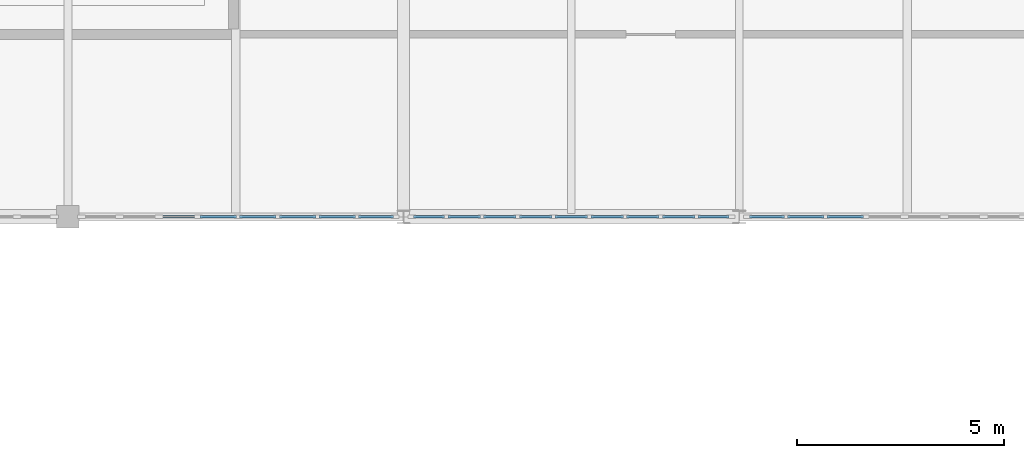
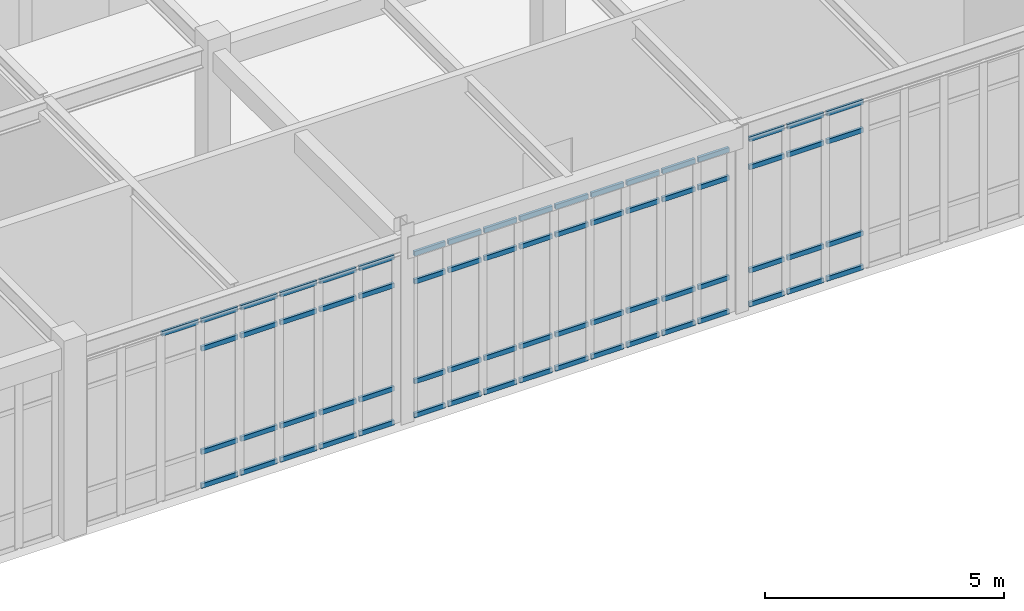
# One storey, part 38 of 70: 69 members, 3 elements without a shape of their own.
"""IFC4 building model written with IfcOpenShell, lengths in metres."""

import ifcopenshell
import ifcopenshell.guid

model = None  # the IFC model being written
_history = None  # IfcOwnerHistory: only IFC2X3 demands one
_inside = {}  # id of a spatial element -> (the spatial element, [elements in it])
_under = {}  # id of a project, library or spatial element -> (it, [spatial elements below it])
_declared = {}  # id of a project -> (the project, [libraries it declares])
_typed = {}  # id of a type object -> (the type object, [elements of that type])
_made_of = {}  # id of a material, layer set ... -> (it, [elements and type objects made of it])


def new_model(schema):
    """Start an empty IFC model of exactly this schema.

    Asked for "IFC4X3", IfcOpenShell would pick the latest addendum, in which some entities
    have other attributes; the version numbers below select the first issue.
    IFC2X3 requires an IfcOwnerHistory on every rooted entity: one is made here for all.
    """
    global model, _history
    if schema == "IFC4X3":
        model = ifcopenshell.file(schema_version=(4, 3, 0, 0))
    else:
        model = ifcopenshell.file(schema=schema)
    _inside.clear()
    _under.clear()
    _declared.clear()
    _typed.clear()
    _made_of.clear()
    _history = None
    if model.schema == "IFC2X3":
        org = make("IfcOrganization", Name="unknown")
        user = make(
            "IfcPersonAndOrganization",
            ThePerson=make("IfcPerson", FamilyName="unknown"),
            TheOrganization=org,
        )
        app = make(
            "IfcApplication",
            ApplicationDeveloper=org,
            Version="unknown",
            ApplicationFullName="unknown",
            ApplicationIdentifier="unknown",
        )
        _history = make(
            "IfcOwnerHistory",
            OwningUser=user,
            OwningApplication=app,
            ChangeAction="ADDED",
            CreationDate=0,
        )
    return model


def make(cls, **values):
    """One entity of the class cls with the attributes given. An attribute that is None is left unset."""
    return model.create_entity(
        cls, **{name: value for name, value in values.items() if value is not None}
    )


def rooted(cls, **values):
    """An entity with a GlobalId (a new one), such as an element, a storey or a relation."""
    return make(cls, GlobalId=ifcopenshell.guid.new(), OwnerHistory=_history, **values)


def si_unit(unit_type, name, prefix=None):
    """IfcSIUnit, for example si_unit("LENGTHUNIT", "METRE", prefix="MILLI")."""
    return make("IfcSIUnit", UnitType=unit_type, Prefix=prefix, Name=name)


def assignment(units):
    """IfcUnitAssignment: the units of a project."""
    return None if units is None else make("IfcUnitAssignment", Units=units)


def point(xyz):
    """IfcCartesianPoint."""
    return None if xyz is None else make("IfcCartesianPoint", Coordinates=xyz)


def direction(xyz):
    """IfcDirection."""
    return None if xyz is None else make("IfcDirection", DirectionRatios=xyz)


def frame(location, z_axis=None, x_axis=None):
    """IfcAxis2Placement3D, a coordinate frame: its origin and axes. An axis left out is left unset."""
    return make(
        "IfcAxis2Placement3D",
        Location=point(location),
        Axis=direction(z_axis),
        RefDirection=direction(x_axis),
    )


def frame_2d(location, x_axis=None):
    """IfcAxis2Placement2D, a coordinate frame in the plane: its origin and x axis."""
    return make(
        "IfcAxis2Placement2D", Location=point(location), RefDirection=direction(x_axis)
    )


def origin():
    """The frame at (0, 0, 0) with its axes left unset."""
    return frame((0.0, 0.0, 0.0))


def origin_2d():
    """The frame at (0, 0) in the plane with its x axis left unset."""
    return frame_2d((0.0, 0.0))


def place(relative_to, where):
    """IfcLocalPlacement: puts the frame where relative to a parent placement (None: the world)."""
    return make(
        "IfcLocalPlacement", PlacementRelTo=relative_to, RelativePlacement=where
    )


def context(
    kind, dimensions, precision=None, world=None, true_north=None, identifier=None
):
    """IfcGeometricRepresentationContext, for example the 3D "Model" context."""
    return make(
        "IfcGeometricRepresentationContext",
        ContextIdentifier=identifier,
        ContextType=kind,
        CoordinateSpaceDimension=dimensions,
        Precision=precision,
        WorldCoordinateSystem=world,
        TrueNorth=true_north,
    )


def subcontext(parent, identifier, kind, view, scale=None):
    """IfcGeometricRepresentationSubContext, for example "Body" below "Model"."""
    return make(
        "IfcGeometricRepresentationSubContext",
        ContextIdentifier=identifier,
        ContextType=kind,
        ParentContext=parent,
        TargetScale=scale,
        TargetView=view,
    )


def project(units=None, contexts=None):
    """IfcProject with its units and contexts."""
    return rooted(
        "IfcProject",
        Name="project",
        RepresentationContexts=contexts,
        UnitsInContext=assignment(units),
    )


def spatial(cls, under=None, at=None, **own):
    """A site, building, storey or space (cls), placed at a placement, below another one or the project."""
    s = rooted(cls, ObjectPlacement=at, **own)
    if under is not None:
        _under.setdefault(under.id(), (under, []))[1].append(s)
    return s


def profile(cls, at=None, kind="AREA", **sizes):
    """A parametric profile (cls). Its sizes go by their IFC names, for example OverallWidth=200.0."""
    return make(cls, ProfileType=kind, Position=at, **sizes)


def rectangle(**sizes):
    """IfcRectangleProfileDef."""
    return profile("IfcRectangleProfileDef", **sizes)


def extrude(swept, where, along, depth):
    """IfcExtrudedAreaSolid: the profile swept, set in the frame where, extruded along a direction by depth."""
    return make(
        "IfcExtrudedAreaSolid",
        SweptArea=swept,
        Position=where,
        ExtrudedDirection=direction(along),
        Depth=depth,
    )


def shape(context_of_items, identifier, shape_type, items):
    """IfcShapeRepresentation: the items that make up one representation, for example the "Body"."""
    return make(
        "IfcShapeRepresentation",
        ContextOfItems=context_of_items,
        RepresentationIdentifier=identifier,
        RepresentationType=shape_type,
        Items=items,
    )


def material(Name=None, Category=None):
    """IfcMaterial."""
    return make("IfcMaterial", Name=Name, Category=Category)


def material_profile(
    of_material, cross_section, Name=None, Category=None, Priority=None
):
    """IfcMaterialProfile: a cross section and its material."""
    return make(
        "IfcMaterialProfile",
        Name=Name,
        Material=of_material,
        Profile=cross_section,
        Priority=Priority,
        Category=Category,
    )


def profile_set(profiles, Name=None, composite=None):
    """IfcMaterialProfileSet."""
    return make(
        "IfcMaterialProfileSet",
        Name=Name,
        MaterialProfiles=profiles,
        CompositeProfile=composite,
    )


def made_of(thing, what):
    """Note that an element or type object is made of a material, layer set ...; save() writes the relation."""
    if what is not None:
        _made_of.setdefault(what.id(), (what, []))[1].append(thing)
    return thing


def type_object(cls, material=None, **own):
    """A type object (cls), such as IfcWallType, which elements share."""
    return made_of(rooted(cls, **own), material)


def element(
    cls,
    number,
    at=None,
    inside=None,
    cuts=None,
    type_object=None,
    material=None,
    context=None,
    identifier="Body",
    shape_type=None,
    held_by="IfcProductDefinitionShape",
    body=None,
    shapes=None,
    **own,
):
    """One element of the class cls, such as IfcWall. Its Tag is "e" and its number.

    at: its placement. inside: the storey or other place that contains it. cuts: it is an
    opening in that element (IfcRelVoidsElement). A single representation is given by context,
    identifier, shape_type and body (its items); several are given by shapes. held_by: the class
    of the entity that holds the representations. save() writes the other relations.
    """
    e = rooted(cls, Tag="e%d" % number, ObjectPlacement=at, **own)
    if body is not None:
        shapes = [shape(context, identifier, shape_type, body)]
    if shapes is not None:
        e.Representation = make(held_by, Representations=shapes)
    if inside is not None:
        _inside.setdefault(inside.id(), (inside, []))[1].append(e)
    if cuts is not None:
        rooted(
            "IfcRelVoidsElement", RelatingBuildingElement=cuts, RelatedOpeningElement=e
        )
    if type_object is not None:
        _typed.setdefault(type_object.id(), (type_object, []))[1].append(e)
    return made_of(e, material)


def aggregate(whole, parts):
    """IfcRelAggregates: a whole, such as a stair, and the parts it consists of."""
    return rooted("IfcRelAggregates", RelatingObject=whole, RelatedObjects=parts)


def save(model, path):
    """Write the relations noted so far, then the file.

    IfcRelAggregates (storeys below a building ...), IfcRelContainedInSpatialStructure (elements
    in a storey), IfcRelDefinesByType, IfcRelAssociatesMaterial and IfcRelDeclares: one each for
    every whole, place, type object, material and project.
    """
    for whole, parts in _under.values():
        aggregate(whole, parts)
    for where, things in _inside.values():
        rooted(
            "IfcRelContainedInSpatialStructure",
            RelatedElements=things,
            RelatingStructure=where,
        )
    for kind, things in _typed.values():
        rooted("IfcRelDefinesByType", RelatedObjects=things, RelatingType=kind)
    for what, things in _made_of.values():
        rooted("IfcRelAssociatesMaterial", RelatedObjects=things, RelatingMaterial=what)
    for by, libraries in _declared.values():
        rooted("IfcRelDeclares", RelatingContext=by, RelatedDefinitions=libraries)
    model.write(path)


model = new_model("IFC4")

# Units and contexts
model_context = context("Model", 3, precision=1e-05, world=origin(), true_north=direction((0.0, 1.0)))
body_context = subcontext(model_context, "Body", "Model", "MODEL_VIEW")
ifc_project = project(units=[si_unit("LENGTHUNIT", "METRE"), si_unit("AREAUNIT", "SQUARE_METRE"), si_unit("VOLUMEUNIT", "CUBIC_METRE"), si_unit("PLANEANGLEUNIT", "RADIAN"), si_unit("MASSUNIT", "GRAM", prefix="KILO")], contexts=[model_context])

# Site, building, storey
site_placement = place(None, origin())
site = spatial("IfcSite", under=ifc_project, at=site_placement, CompositionType="ELEMENT")
building_placement = place(site_placement, origin())
building = spatial("IfcBuilding", under=site, at=building_placement, Name="Tarnveldt Square Police Headquarters", CompositionType="ELEMENT")
storey_placement = place(building_placement, frame((0.0, 0.0, 19.800048828125)))
storey = spatial("IfcBuildingStorey", under=building, at=storey_placement, Name="L04", CompositionType="ELEMENT", Elevation=19.800048828125)

# Curtain wall, members
ifc_material_1 = material(Name="Triple-glazed low-e laminated vision glass", Category="glass")
curtain_wall_type_1 = type_object("IfcCurtainWallType", Name="CW-LB-764x429", PredefinedType="USERDEFINED", material=ifc_material_1)
curtain_wall_1_placement = place(storey_placement, origin())
curtain_wall_1 = element("IfcCurtainWall", 1, at=curtain_wall_1_placement, inside=storey, type_object=curtain_wall_type_1, Name="L04 Curtain Wall CW-L04-130", ObjectType="GLAZED CURTAIN WALL", PredefinedType="USERDEFINED")
ifc_material_2 = material(Name="Thermally broken anodised aluminium 6063-T6", Category="aluminium")
ifc_material_profile = material_profile(ifc_material_2, rectangle(XDim=0.06494140625, YDim=0.1201171875, at=origin_2d()), Name="CW-T65x120")
ifc_profile_set = profile_set([ifc_material_profile], Name="Thermally broken anodised aluminium 6063-T6")
member_type = type_object("IfcMemberType", Name="CWT-65x120", PredefinedType="USERDEFINED", material=ifc_profile_set)
member_1_placement = place(storey_placement, frame((83.23779296875, 96.0, 4.25634765625), z_axis=(1.0, 0.0, 0.0), x_axis=(0.0, 1.0, 0.0)))
member_1 = element("IfcMember", 2, at=member_1_placement, type_object=member_type, Name="CW-LB78 transom 3.4", ObjectType="TRANSOM", PredefinedType="USERDEFINED", context=body_context, shape_type="SweptSolid", body=[
    extrude(rectangle(XDim=0.06494140625, YDim=0.1201171875, at=origin_2d()), origin(), (0.0, 0.0, 1.0), 0.880126953125),
])
member_2_placement = place(storey_placement, frame((84.19287109375, 96.0, 0.032470703125), z_axis=(1.0, 0.0, 0.0), x_axis=(0.0, 1.0, 0.0)))
member_2 = element("IfcMember", 3, at=member_2_placement, type_object=member_type, Name="CW-LB78 transom 4.1", ObjectType="TRANSOM", PredefinedType="USERDEFINED", context=body_context, shape_type="SweptSolid", body=[
    extrude(rectangle(XDim=0.06494140625, YDim=0.1201171875, at=origin_2d()), origin(), (0.0, 0.0, 1.0), 0.880126953125),
])
member_3_placement = place(storey_placement, frame((84.19287109375, 96.0, 0.89990234375), z_axis=(1.0, 0.0, 0.0), x_axis=(0.0, 1.0, 0.0)))
member_3 = element("IfcMember", 4, at=member_3_placement, type_object=member_type, Name="CW-LB78 transom 4.2", ObjectType="TRANSOM", PredefinedType="USERDEFINED", context=body_context, shape_type="SweptSolid", body=[
    extrude(rectangle(XDim=0.06494140625, YDim=0.1201171875, at=origin_2d()), origin(), (0.0, 0.0, 1.0), 0.880126953125),
])
member_4_placement = place(storey_placement, frame((84.19287109375, 96.0, 3.5390625), z_axis=(1.0, 0.0, 0.0), x_axis=(0.0, 1.0, 0.0)))
member_4 = element("IfcMember", 5, at=member_4_placement, type_object=member_type, Name="CW-LB78 transom 4.3", ObjectType="TRANSOM", PredefinedType="USERDEFINED", context=body_context, shape_type="SweptSolid", body=[
    extrude(rectangle(XDim=0.06494140625, YDim=0.1201171875, at=origin_2d()), origin(), (0.0, 0.0, 1.0), 0.880126953125),
])
member_5_placement = place(storey_placement, frame((84.19287109375, 96.0, 4.25634765625), z_axis=(1.0, 0.0, 0.0), x_axis=(0.0, 1.0, 0.0)))
member_5 = element("IfcMember", 6, at=member_5_placement, type_object=member_type, Name="CW-LB78 transom 4.4", ObjectType="TRANSOM", PredefinedType="USERDEFINED", context=body_context, shape_type="SweptSolid", body=[
    extrude(rectangle(XDim=0.06494140625, YDim=0.1201171875, at=origin_2d()), origin(), (0.0, 0.0, 1.0), 0.880126953125),
])
member_6_placement = place(storey_placement, frame((85.14794921875, 96.0, 0.032470703125), z_axis=(1.0, 0.0, 0.0), x_axis=(0.0, 1.0, 0.0)))
member_6 = element("IfcMember", 7, at=member_6_placement, type_object=member_type, Name="CW-LB78 transom 5.1", ObjectType="TRANSOM", PredefinedType="USERDEFINED", context=body_context, shape_type="SweptSolid", body=[
    extrude(rectangle(XDim=0.06494140625, YDim=0.1201171875, at=origin_2d()), origin(), (0.0, 0.0, 1.0), 0.880126953125),
])
member_7_placement = place(storey_placement, frame((85.14794921875, 96.0, 0.89990234375), z_axis=(1.0, 0.0, 0.0), x_axis=(0.0, 1.0, 0.0)))
member_7 = element("IfcMember", 8, at=member_7_placement, type_object=member_type, Name="CW-LB78 transom 5.2", ObjectType="TRANSOM", PredefinedType="USERDEFINED", context=body_context, shape_type="SweptSolid", body=[
    extrude(rectangle(XDim=0.06494140625, YDim=0.1201171875, at=origin_2d()), origin(), (0.0, 0.0, 1.0), 0.880126953125),
])
member_8_placement = place(storey_placement, frame((85.14794921875, 96.0, 3.5390625), z_axis=(1.0, 0.0, 0.0), x_axis=(0.0, 1.0, 0.0)))
member_8 = element("IfcMember", 9, at=member_8_placement, type_object=member_type, Name="CW-LB78 transom 5.3", ObjectType="TRANSOM", PredefinedType="USERDEFINED", context=body_context, shape_type="SweptSolid", body=[
    extrude(rectangle(XDim=0.06494140625, YDim=0.1201171875, at=origin_2d()), origin(), (0.0, 0.0, 1.0), 0.880126953125),
])
member_9_placement = place(storey_placement, frame((85.14794921875, 96.0, 4.25634765625), z_axis=(1.0, 0.0, 0.0), x_axis=(0.0, 1.0, 0.0)))
member_9 = element("IfcMember", 10, at=member_9_placement, type_object=member_type, Name="CW-LB78 transom 5.4", ObjectType="TRANSOM", PredefinedType="USERDEFINED", context=body_context, shape_type="SweptSolid", body=[
    extrude(rectangle(XDim=0.06494140625, YDim=0.1201171875, at=origin_2d()), origin(), (0.0, 0.0, 1.0), 0.880126953125),
])
member_10_placement = place(storey_placement, frame((86.10302734375, 96.0, 0.032470703125), z_axis=(1.0, 0.0, 0.0), x_axis=(0.0, 1.0, 0.0)))
member_10 = element("IfcMember", 11, at=member_10_placement, type_object=member_type, Name="CW-LB78 transom 6.1", ObjectType="TRANSOM", PredefinedType="USERDEFINED", context=body_context, shape_type="SweptSolid", body=[
    extrude(rectangle(XDim=0.06494140625, YDim=0.1201171875, at=origin_2d()), origin(), (0.0, 0.0, 1.0), 0.880126953125),
])
member_11_placement = place(storey_placement, frame((86.10302734375, 96.0, 0.89990234375), z_axis=(1.0, 0.0, 0.0), x_axis=(0.0, 1.0, 0.0)))
member_11 = element("IfcMember", 12, at=member_11_placement, type_object=member_type, Name="CW-LB78 transom 6.2", ObjectType="TRANSOM", PredefinedType="USERDEFINED", context=body_context, shape_type="SweptSolid", body=[
    extrude(rectangle(XDim=0.06494140625, YDim=0.1201171875, at=origin_2d()), origin(), (0.0, 0.0, 1.0), 0.880126953125),
])
member_12_placement = place(storey_placement, frame((86.10302734375, 96.0, 3.5390625), z_axis=(1.0, 0.0, 0.0), x_axis=(0.0, 1.0, 0.0)))
member_12 = element("IfcMember", 13, at=member_12_placement, type_object=member_type, Name="CW-LB78 transom 6.3", ObjectType="TRANSOM", PredefinedType="USERDEFINED", context=body_context, shape_type="SweptSolid", body=[
    extrude(rectangle(XDim=0.06494140625, YDim=0.1201171875, at=origin_2d()), origin(), (0.0, 0.0, 1.0), 0.880126953125),
])
member_13_placement = place(storey_placement, frame((86.10302734375, 96.0, 4.25634765625), z_axis=(1.0, 0.0, 0.0), x_axis=(0.0, 1.0, 0.0)))
member_13 = element("IfcMember", 14, at=member_13_placement, type_object=member_type, Name="CW-LB78 transom 6.4", ObjectType="TRANSOM", PredefinedType="USERDEFINED", context=body_context, shape_type="SweptSolid", body=[
    extrude(rectangle(XDim=0.06494140625, YDim=0.1201171875, at=origin_2d()), origin(), (0.0, 0.0, 1.0), 0.880126953125),
])
member_14_placement = place(storey_placement, frame((87.058349609375, 96.0, 0.032470703125), z_axis=(1.0, 0.0, 0.0), x_axis=(0.0, 1.0, 0.0)))
member_14 = element("IfcMember", 15, at=member_14_placement, type_object=member_type, Name="CW-LB78 transom 7.1", ObjectType="TRANSOM", PredefinedType="USERDEFINED", context=body_context, shape_type="SweptSolid", body=[
    extrude(rectangle(XDim=0.06494140625, YDim=0.1201171875, at=origin_2d()), origin(), (0.0, 0.0, 1.0), 0.880126953125),
])
member_15_placement = place(storey_placement, frame((87.058349609375, 96.0, 0.89990234375), z_axis=(1.0, 0.0, 0.0), x_axis=(0.0, 1.0, 0.0)))
member_15 = element("IfcMember", 16, at=member_15_placement, type_object=member_type, Name="CW-LB78 transom 7.2", ObjectType="TRANSOM", PredefinedType="USERDEFINED", context=body_context, shape_type="SweptSolid", body=[
    extrude(rectangle(XDim=0.06494140625, YDim=0.1201171875, at=origin_2d()), origin(), (0.0, 0.0, 1.0), 0.880126953125),
])
member_16_placement = place(storey_placement, frame((87.058349609375, 96.0, 3.5390625), z_axis=(1.0, 0.0, 0.0), x_axis=(0.0, 1.0, 0.0)))
member_16 = element("IfcMember", 17, at=member_16_placement, type_object=member_type, Name="CW-LB78 transom 7.3", ObjectType="TRANSOM", PredefinedType="USERDEFINED", context=body_context, shape_type="SweptSolid", body=[
    extrude(rectangle(XDim=0.06494140625, YDim=0.1201171875, at=origin_2d()), origin(), (0.0, 0.0, 1.0), 0.880126953125),
])
member_17_placement = place(storey_placement, frame((87.058349609375, 96.0, 4.25634765625), z_axis=(1.0, 0.0, 0.0), x_axis=(0.0, 1.0, 0.0)))
member_17 = element("IfcMember", 18, at=member_17_placement, type_object=member_type, Name="CW-LB78 transom 7.4", ObjectType="TRANSOM", PredefinedType="USERDEFINED", context=body_context, shape_type="SweptSolid", body=[
    extrude(rectangle(XDim=0.06494140625, YDim=0.1201171875, at=origin_2d()), origin(), (0.0, 0.0, 1.0), 0.880126953125),
])
member_18_placement = place(storey_placement, frame((88.013427734375, 96.0, 0.032470703125), z_axis=(1.0, 0.0, 0.0), x_axis=(0.0, 1.0, 0.0)))
member_18 = element("IfcMember", 19, at=member_18_placement, type_object=member_type, Name="CW-LB78 transom 8.1", ObjectType="TRANSOM", PredefinedType="USERDEFINED", context=body_context, shape_type="SweptSolid", body=[
    extrude(rectangle(XDim=0.06494140625, YDim=0.1201171875, at=origin_2d()), origin(), (0.0, 0.0, 1.0), 0.842529296875),
])
member_19_placement = place(storey_placement, frame((88.013427734375, 96.0, 0.89990234375), z_axis=(1.0, 0.0, 0.0), x_axis=(0.0, 1.0, 0.0)))
member_19 = element("IfcMember", 20, at=member_19_placement, type_object=member_type, Name="CW-LB78 transom 8.2", ObjectType="TRANSOM", PredefinedType="USERDEFINED", context=body_context, shape_type="SweptSolid", body=[
    extrude(rectangle(XDim=0.06494140625, YDim=0.1201171875, at=origin_2d()), origin(), (0.0, 0.0, 1.0), 0.842529296875),
])
member_20_placement = place(storey_placement, frame((88.013427734375, 96.0, 3.5390625), z_axis=(1.0, 0.0, 0.0), x_axis=(0.0, 1.0, 0.0)))
member_20 = element("IfcMember", 21, at=member_20_placement, type_object=member_type, Name="CW-LB78 transom 8.3", ObjectType="TRANSOM", PredefinedType="USERDEFINED", context=body_context, shape_type="SweptSolid", body=[
    extrude(rectangle(XDim=0.06494140625, YDim=0.1201171875, at=origin_2d()), origin(), (0.0, 0.0, 1.0), 0.842529296875),
])
member_21_placement = place(storey_placement, frame((88.013427734375, 96.0, 4.25634765625), z_axis=(1.0, 0.0, 0.0), x_axis=(0.0, 1.0, 0.0)))
member_21 = element("IfcMember", 22, at=member_21_placement, type_object=member_type, Name="CW-LB78 transom 8.4", ObjectType="TRANSOM", PredefinedType="USERDEFINED", context=body_context, shape_type="SweptSolid", body=[
    extrude(rectangle(XDim=0.06494140625, YDim=0.1201171875, at=origin_2d()), origin(), (0.0, 0.0, 1.0), 0.842529296875),
])
aggregate(curtain_wall_1, [member_1, member_2, member_3, member_4, member_5, member_6, member_7, member_8, member_9, member_10, member_11, member_12, member_13, member_14, member_15, member_16, member_17, member_18, member_19, member_20, member_21])

curtain_wall_type_2 = type_object("IfcCurtainWallType", Name="CW-LB-776x420", PredefinedType="USERDEFINED", material=ifc_material_1)
curtain_wall_2_placement = place(storey_placement, origin())
curtain_wall_2 = element("IfcCurtainWall", 23, at=curtain_wall_2_placement, inside=storey, type_object=curtain_wall_type_2, Name="L04 Curtain Wall CW-L04-131", ObjectType="GLAZED CURTAIN WALL", PredefinedType="USERDEFINED")
member_22_placement = place(storey_placement, frame((89.343994140625, 96.0, 0.032470703125), z_axis=(1.0, 0.0, 0.0), x_axis=(0.0, 1.0, 0.0)))
member_22 = element("IfcMember", 24, at=member_22_placement, type_object=member_type, Name="CW-LB79 transom 1.1", ObjectType="TRANSOM", PredefinedType="USERDEFINED", context=body_context, shape_type="SweptSolid", body=[
    extrude(rectangle(XDim=0.06494140625, YDim=0.1201171875, at=origin_2d()), origin(), (0.0, 0.0, 1.0), 0.75),
])
member_23_placement = place(storey_placement, frame((89.343994140625, 96.0, 0.89990234375), z_axis=(1.0, 0.0, 0.0), x_axis=(0.0, 1.0, 0.0)))
member_23 = element("IfcMember", 25, at=member_23_placement, type_object=member_type, Name="CW-LB79 transom 1.2", ObjectType="TRANSOM", PredefinedType="USERDEFINED", context=body_context, shape_type="SweptSolid", body=[
    extrude(rectangle(XDim=0.06494140625, YDim=0.1201171875, at=origin_2d()), origin(), (0.0, 0.0, 1.0), 0.75),
])
member_24_placement = place(storey_placement, frame((89.343994140625, 96.0, 3.451904296875), z_axis=(1.0, 0.0, 0.0), x_axis=(0.0, 1.0, 0.0)))
member_24 = element("IfcMember", 26, at=member_24_placement, type_object=member_type, Name="CW-LB79 transom 1.3", ObjectType="TRANSOM", PredefinedType="USERDEFINED", context=body_context, shape_type="SweptSolid", body=[
    extrude(rectangle(XDim=0.06494140625, YDim=0.1201171875, at=origin_2d()), origin(), (0.0, 0.0, 1.0), 0.75),
])
member_25_placement = place(storey_placement, frame((89.343994140625, 96.0, 4.16943359375), z_axis=(1.0, 0.0, 0.0), x_axis=(0.0, 1.0, 0.0)))
member_25 = element("IfcMember", 27, at=member_25_placement, type_object=member_type, Name="CW-LB79 transom 1.4", ObjectType="TRANSOM", PredefinedType="USERDEFINED", context=body_context, shape_type="SweptSolid", body=[
    extrude(rectangle(XDim=0.06494140625, YDim=0.1201171875, at=origin_2d()), origin(), (0.0, 0.0, 1.0), 0.75),
])
member_26_placement = place(storey_placement, frame((90.1689453125, 96.0, 0.032470703125), z_axis=(1.0, 0.0, 0.0), x_axis=(0.0, 1.0, 0.0)))
member_26 = element("IfcMember", 28, at=member_26_placement, type_object=member_type, Name="CW-LB79 transom 2.1", ObjectType="TRANSOM", PredefinedType="USERDEFINED", context=body_context, shape_type="SweptSolid", body=[
    extrude(rectangle(XDim=0.06494140625, YDim=0.1201171875, at=origin_2d()), origin(), (0.0, 0.0, 1.0), 0.787353515625),
])
member_27_placement = place(storey_placement, frame((90.1689453125, 96.0, 0.89990234375), z_axis=(1.0, 0.0, 0.0), x_axis=(0.0, 1.0, 0.0)))
member_27 = element("IfcMember", 29, at=member_27_placement, type_object=member_type, Name="CW-LB79 transom 2.2", ObjectType="TRANSOM", PredefinedType="USERDEFINED", context=body_context, shape_type="SweptSolid", body=[
    extrude(rectangle(XDim=0.06494140625, YDim=0.1201171875, at=origin_2d()), origin(), (0.0, 0.0, 1.0), 0.787353515625),
])
member_28_placement = place(storey_placement, frame((90.1689453125, 96.0, 3.451904296875), z_axis=(1.0, 0.0, 0.0), x_axis=(0.0, 1.0, 0.0)))
member_28 = element("IfcMember", 30, at=member_28_placement, type_object=member_type, Name="CW-LB79 transom 2.3", ObjectType="TRANSOM", PredefinedType="USERDEFINED", context=body_context, shape_type="SweptSolid", body=[
    extrude(rectangle(XDim=0.06494140625, YDim=0.1201171875, at=origin_2d()), origin(), (0.0, 0.0, 1.0), 0.787353515625),
])
member_29_placement = place(storey_placement, frame((90.1689453125, 96.0, 4.16943359375), z_axis=(1.0, 0.0, 0.0), x_axis=(0.0, 1.0, 0.0)))
member_29 = element("IfcMember", 31, at=member_29_placement, type_object=member_type, Name="CW-LB79 transom 2.4", ObjectType="TRANSOM", PredefinedType="USERDEFINED", context=body_context, shape_type="SweptSolid", body=[
    extrude(rectangle(XDim=0.06494140625, YDim=0.1201171875, at=origin_2d()), origin(), (0.0, 0.0, 1.0), 0.787353515625),
])
member_30_placement = place(storey_placement, frame((91.031494140625, 96.0, 0.032470703125), z_axis=(1.0, 0.0, 0.0), x_axis=(0.0, 1.0, 0.0)))
member_30 = element("IfcMember", 32, at=member_30_placement, type_object=member_type, Name="CW-LB79 transom 3.1", ObjectType="TRANSOM", PredefinedType="USERDEFINED", context=body_context, shape_type="SweptSolid", body=[
    extrude(rectangle(XDim=0.06494140625, YDim=0.1201171875, at=origin_2d()), origin(), (0.0, 0.0, 1.0), 0.787353515625),
])
member_31_placement = place(storey_placement, frame((91.031494140625, 96.0, 0.89990234375), z_axis=(1.0, 0.0, 0.0), x_axis=(0.0, 1.0, 0.0)))
member_31 = element("IfcMember", 33, at=member_31_placement, type_object=member_type, Name="CW-LB79 transom 3.2", ObjectType="TRANSOM", PredefinedType="USERDEFINED", context=body_context, shape_type="SweptSolid", body=[
    extrude(rectangle(XDim=0.06494140625, YDim=0.1201171875, at=origin_2d()), origin(), (0.0, 0.0, 1.0), 0.787353515625),
])
member_32_placement = place(storey_placement, frame((91.031494140625, 96.0, 3.451904296875), z_axis=(1.0, 0.0, 0.0), x_axis=(0.0, 1.0, 0.0)))
member_32 = element("IfcMember", 34, at=member_32_placement, type_object=member_type, Name="CW-LB79 transom 3.3", ObjectType="TRANSOM", PredefinedType="USERDEFINED", context=body_context, shape_type="SweptSolid", body=[
    extrude(rectangle(XDim=0.06494140625, YDim=0.1201171875, at=origin_2d()), origin(), (0.0, 0.0, 1.0), 0.787353515625),
])
member_33_placement = place(storey_placement, frame((91.031494140625, 96.0, 4.16943359375), z_axis=(1.0, 0.0, 0.0), x_axis=(0.0, 1.0, 0.0)))
member_33 = element("IfcMember", 35, at=member_33_placement, type_object=member_type, Name="CW-LB79 transom 3.4", ObjectType="TRANSOM", PredefinedType="USERDEFINED", context=body_context, shape_type="SweptSolid", body=[
    extrude(rectangle(XDim=0.06494140625, YDim=0.1201171875, at=origin_2d()), origin(), (0.0, 0.0, 1.0), 0.787353515625),
])
member_34_placement = place(storey_placement, frame((91.893798828125, 96.0, 0.032470703125), z_axis=(1.0, 0.0, 0.0), x_axis=(0.0, 1.0, 0.0)))
member_34 = element("IfcMember", 36, at=member_34_placement, type_object=member_type, Name="CW-LB79 transom 4.1", ObjectType="TRANSOM", PredefinedType="USERDEFINED", context=body_context, shape_type="SweptSolid", body=[
    extrude(rectangle(XDim=0.06494140625, YDim=0.1201171875, at=origin_2d()), origin(), (0.0, 0.0, 1.0), 0.78759765625),
])
member_35_placement = place(storey_placement, frame((91.893798828125, 96.0, 0.89990234375), z_axis=(1.0, 0.0, 0.0), x_axis=(0.0, 1.0, 0.0)))
member_35 = element("IfcMember", 37, at=member_35_placement, type_object=member_type, Name="CW-LB79 transom 4.2", ObjectType="TRANSOM", PredefinedType="USERDEFINED", context=body_context, shape_type="SweptSolid", body=[
    extrude(rectangle(XDim=0.06494140625, YDim=0.1201171875, at=origin_2d()), origin(), (0.0, 0.0, 1.0), 0.78759765625),
])
member_36_placement = place(storey_placement, frame((91.893798828125, 96.0, 3.451904296875), z_axis=(1.0, 0.0, 0.0), x_axis=(0.0, 1.0, 0.0)))
member_36 = element("IfcMember", 38, at=member_36_placement, type_object=member_type, Name="CW-LB79 transom 4.3", ObjectType="TRANSOM", PredefinedType="USERDEFINED", context=body_context, shape_type="SweptSolid", body=[
    extrude(rectangle(XDim=0.06494140625, YDim=0.1201171875, at=origin_2d()), origin(), (0.0, 0.0, 1.0), 0.78759765625),
])
member_37_placement = place(storey_placement, frame((91.893798828125, 96.0, 4.16943359375), z_axis=(1.0, 0.0, 0.0), x_axis=(0.0, 1.0, 0.0)))
member_37 = element("IfcMember", 39, at=member_37_placement, type_object=member_type, Name="CW-LB79 transom 4.4", ObjectType="TRANSOM", PredefinedType="USERDEFINED", context=body_context, shape_type="SweptSolid", body=[
    extrude(rectangle(XDim=0.06494140625, YDim=0.1201171875, at=origin_2d()), origin(), (0.0, 0.0, 1.0), 0.78759765625),
])
member_38_placement = place(storey_placement, frame((92.75634765625, 96.0, 0.032470703125), z_axis=(1.0, 0.0, 0.0), x_axis=(0.0, 1.0, 0.0)))
member_38 = element("IfcMember", 40, at=member_38_placement, type_object=member_type, Name="CW-LB79 transom 5.1", ObjectType="TRANSOM", PredefinedType="USERDEFINED", context=body_context, shape_type="SweptSolid", body=[
    extrude(rectangle(XDim=0.06494140625, YDim=0.1201171875, at=origin_2d()), origin(), (0.0, 0.0, 1.0), 0.787353515625),
])
member_39_placement = place(storey_placement, frame((92.75634765625, 96.0, 0.89990234375), z_axis=(1.0, 0.0, 0.0), x_axis=(0.0, 1.0, 0.0)))
member_39 = element("IfcMember", 41, at=member_39_placement, type_object=member_type, Name="CW-LB79 transom 5.2", ObjectType="TRANSOM", PredefinedType="USERDEFINED", context=body_context, shape_type="SweptSolid", body=[
    extrude(rectangle(XDim=0.06494140625, YDim=0.1201171875, at=origin_2d()), origin(), (0.0, 0.0, 1.0), 0.787353515625),
])
member_40_placement = place(storey_placement, frame((92.75634765625, 96.0, 3.451904296875), z_axis=(1.0, 0.0, 0.0), x_axis=(0.0, 1.0, 0.0)))
member_40 = element("IfcMember", 42, at=member_40_placement, type_object=member_type, Name="CW-LB79 transom 5.3", ObjectType="TRANSOM", PredefinedType="USERDEFINED", context=body_context, shape_type="SweptSolid", body=[
    extrude(rectangle(XDim=0.06494140625, YDim=0.1201171875, at=origin_2d()), origin(), (0.0, 0.0, 1.0), 0.787353515625),
])
member_41_placement = place(storey_placement, frame((92.75634765625, 96.0, 4.16943359375), z_axis=(1.0, 0.0, 0.0), x_axis=(0.0, 1.0, 0.0)))
member_41 = element("IfcMember", 43, at=member_41_placement, type_object=member_type, Name="CW-LB79 transom 5.4", ObjectType="TRANSOM", PredefinedType="USERDEFINED", context=body_context, shape_type="SweptSolid", body=[
    extrude(rectangle(XDim=0.06494140625, YDim=0.1201171875, at=origin_2d()), origin(), (0.0, 0.0, 1.0), 0.787353515625),
])
member_42_placement = place(storey_placement, frame((93.61865234375, 96.0, 0.032470703125), z_axis=(1.0, 0.0, 0.0), x_axis=(0.0, 1.0, 0.0)))
member_42 = element("IfcMember", 44, at=member_42_placement, type_object=member_type, Name="CW-LB79 transom 6.1", ObjectType="TRANSOM", PredefinedType="USERDEFINED", context=body_context, shape_type="SweptSolid", body=[
    extrude(rectangle(XDim=0.06494140625, YDim=0.1201171875, at=origin_2d()), origin(), (0.0, 0.0, 1.0), 0.78759765625),
])
member_43_placement = place(storey_placement, frame((93.61865234375, 96.0, 0.89990234375), z_axis=(1.0, 0.0, 0.0), x_axis=(0.0, 1.0, 0.0)))
member_43 = element("IfcMember", 45, at=member_43_placement, type_object=member_type, Name="CW-LB79 transom 6.2", ObjectType="TRANSOM", PredefinedType="USERDEFINED", context=body_context, shape_type="SweptSolid", body=[
    extrude(rectangle(XDim=0.06494140625, YDim=0.1201171875, at=origin_2d()), origin(), (0.0, 0.0, 1.0), 0.78759765625),
])
member_44_placement = place(storey_placement, frame((93.61865234375, 96.0, 3.451904296875), z_axis=(1.0, 0.0, 0.0), x_axis=(0.0, 1.0, 0.0)))
member_44 = element("IfcMember", 46, at=member_44_placement, type_object=member_type, Name="CW-LB79 transom 6.3", ObjectType="TRANSOM", PredefinedType="USERDEFINED", context=body_context, shape_type="SweptSolid", body=[
    extrude(rectangle(XDim=0.06494140625, YDim=0.1201171875, at=origin_2d()), origin(), (0.0, 0.0, 1.0), 0.78759765625),
])
member_45_placement = place(storey_placement, frame((93.61865234375, 96.0, 4.16943359375), z_axis=(1.0, 0.0, 0.0), x_axis=(0.0, 1.0, 0.0)))
member_45 = element("IfcMember", 47, at=member_45_placement, type_object=member_type, Name="CW-LB79 transom 6.4", ObjectType="TRANSOM", PredefinedType="USERDEFINED", context=body_context, shape_type="SweptSolid", body=[
    extrude(rectangle(XDim=0.06494140625, YDim=0.1201171875, at=origin_2d()), origin(), (0.0, 0.0, 1.0), 0.78759765625),
])
member_46_placement = place(storey_placement, frame((94.481201171875, 96.0, 0.032470703125), z_axis=(1.0, 0.0, 0.0), x_axis=(0.0, 1.0, 0.0)))
member_46 = element("IfcMember", 48, at=member_46_placement, type_object=member_type, Name="CW-LB79 transom 7.1", ObjectType="TRANSOM", PredefinedType="USERDEFINED", context=body_context, shape_type="SweptSolid", body=[
    extrude(rectangle(XDim=0.06494140625, YDim=0.1201171875, at=origin_2d()), origin(), (0.0, 0.0, 1.0), 0.787353515625),
])
member_47_placement = place(storey_placement, frame((94.481201171875, 96.0, 0.89990234375), z_axis=(1.0, 0.0, 0.0), x_axis=(0.0, 1.0, 0.0)))
member_47 = element("IfcMember", 49, at=member_47_placement, type_object=member_type, Name="CW-LB79 transom 7.2", ObjectType="TRANSOM", PredefinedType="USERDEFINED", context=body_context, shape_type="SweptSolid", body=[
    extrude(rectangle(XDim=0.06494140625, YDim=0.1201171875, at=origin_2d()), origin(), (0.0, 0.0, 1.0), 0.787353515625),
])
member_48_placement = place(storey_placement, frame((94.481201171875, 96.0, 3.451904296875), z_axis=(1.0, 0.0, 0.0), x_axis=(0.0, 1.0, 0.0)))
member_48 = element("IfcMember", 50, at=member_48_placement, type_object=member_type, Name="CW-LB79 transom 7.3", ObjectType="TRANSOM", PredefinedType="USERDEFINED", context=body_context, shape_type="SweptSolid", body=[
    extrude(rectangle(XDim=0.06494140625, YDim=0.1201171875, at=origin_2d()), origin(), (0.0, 0.0, 1.0), 0.787353515625),
])
member_49_placement = place(storey_placement, frame((94.481201171875, 96.0, 4.16943359375), z_axis=(1.0, 0.0, 0.0), x_axis=(0.0, 1.0, 0.0)))
member_49 = element("IfcMember", 51, at=member_49_placement, type_object=member_type, Name="CW-LB79 transom 7.4", ObjectType="TRANSOM", PredefinedType="USERDEFINED", context=body_context, shape_type="SweptSolid", body=[
    extrude(rectangle(XDim=0.06494140625, YDim=0.1201171875, at=origin_2d()), origin(), (0.0, 0.0, 1.0), 0.787353515625),
])
member_50_placement = place(storey_placement, frame((95.343505859375, 96.0, 0.032470703125), z_axis=(1.0, 0.0, 0.0), x_axis=(0.0, 1.0, 0.0)))
member_50 = element("IfcMember", 52, at=member_50_placement, type_object=member_type, Name="CW-LB79 transom 8.1", ObjectType="TRANSOM", PredefinedType="USERDEFINED", context=body_context, shape_type="SweptSolid", body=[
    extrude(rectangle(XDim=0.06494140625, YDim=0.1201171875, at=origin_2d()), origin(), (0.0, 0.0, 1.0), 0.78759765625),
])
member_51_placement = place(storey_placement, frame((95.343505859375, 96.0, 0.89990234375), z_axis=(1.0, 0.0, 0.0), x_axis=(0.0, 1.0, 0.0)))
member_51 = element("IfcMember", 53, at=member_51_placement, type_object=member_type, Name="CW-LB79 transom 8.2", ObjectType="TRANSOM", PredefinedType="USERDEFINED", context=body_context, shape_type="SweptSolid", body=[
    extrude(rectangle(XDim=0.06494140625, YDim=0.1201171875, at=origin_2d()), origin(), (0.0, 0.0, 1.0), 0.78759765625),
])
member_52_placement = place(storey_placement, frame((95.343505859375, 96.0, 3.451904296875), z_axis=(1.0, 0.0, 0.0), x_axis=(0.0, 1.0, 0.0)))
member_52 = element("IfcMember", 54, at=member_52_placement, type_object=member_type, Name="CW-LB79 transom 8.3", ObjectType="TRANSOM", PredefinedType="USERDEFINED", context=body_context, shape_type="SweptSolid", body=[
    extrude(rectangle(XDim=0.06494140625, YDim=0.1201171875, at=origin_2d()), origin(), (0.0, 0.0, 1.0), 0.78759765625),
])
member_53_placement = place(storey_placement, frame((95.343505859375, 96.0, 4.16943359375), z_axis=(1.0, 0.0, 0.0), x_axis=(0.0, 1.0, 0.0)))
member_53 = element("IfcMember", 55, at=member_53_placement, type_object=member_type, Name="CW-LB79 transom 8.4", ObjectType="TRANSOM", PredefinedType="USERDEFINED", context=body_context, shape_type="SweptSolid", body=[
    extrude(rectangle(XDim=0.06494140625, YDim=0.1201171875, at=origin_2d()), origin(), (0.0, 0.0, 1.0), 0.78759765625),
])
member_54_placement = place(storey_placement, frame((96.2060546875, 96.0, 0.032470703125), z_axis=(1.0, 0.0, 0.0), x_axis=(0.0, 1.0, 0.0)))
member_54 = element("IfcMember", 56, at=member_54_placement, type_object=member_type, Name="CW-LB79 transom 9.1", ObjectType="TRANSOM", PredefinedType="USERDEFINED", context=body_context, shape_type="SweptSolid", body=[
    extrude(rectangle(XDim=0.06494140625, YDim=0.1201171875, at=origin_2d()), origin(), (0.0, 0.0, 1.0), 0.75),
])
member_55_placement = place(storey_placement, frame((96.2060546875, 96.0, 0.89990234375), z_axis=(1.0, 0.0, 0.0), x_axis=(0.0, 1.0, 0.0)))
member_55 = element("IfcMember", 57, at=member_55_placement, type_object=member_type, Name="CW-LB79 transom 9.2", ObjectType="TRANSOM", PredefinedType="USERDEFINED", context=body_context, shape_type="SweptSolid", body=[
    extrude(rectangle(XDim=0.06494140625, YDim=0.1201171875, at=origin_2d()), origin(), (0.0, 0.0, 1.0), 0.75),
])
member_56_placement = place(storey_placement, frame((96.2060546875, 96.0, 3.451904296875), z_axis=(1.0, 0.0, 0.0), x_axis=(0.0, 1.0, 0.0)))
member_56 = element("IfcMember", 58, at=member_56_placement, type_object=member_type, Name="CW-LB79 transom 9.3", ObjectType="TRANSOM", PredefinedType="USERDEFINED", context=body_context, shape_type="SweptSolid", body=[
    extrude(rectangle(XDim=0.06494140625, YDim=0.1201171875, at=origin_2d()), origin(), (0.0, 0.0, 1.0), 0.75),
])
member_57_placement = place(storey_placement, frame((96.2060546875, 96.0, 4.16943359375), z_axis=(1.0, 0.0, 0.0), x_axis=(0.0, 1.0, 0.0)))
member_57 = element("IfcMember", 59, at=member_57_placement, type_object=member_type, Name="CW-LB79 transom 9.4", ObjectType="TRANSOM", PredefinedType="USERDEFINED", context=body_context, shape_type="SweptSolid", body=[
    extrude(rectangle(XDim=0.06494140625, YDim=0.1201171875, at=origin_2d()), origin(), (0.0, 0.0, 1.0), 0.75),
])
aggregate(curtain_wall_2, [member_22, member_23, member_24, member_25, member_26, member_27, member_28, member_29, member_30, member_31, member_32, member_33, member_34, member_35, member_36, member_37, member_38, member_39, member_40, member_41, member_42, member_43, member_44, member_45, member_46, member_47, member_48, member_49, member_50, member_51, member_52, member_53, member_54, member_55, member_56, member_57])

curtain_wall_3_placement = place(storey_placement, origin())
curtain_wall_3 = element("IfcCurtainWall", 60, at=curtain_wall_3_placement, inside=storey, type_object=curtain_wall_type_1, Name="L04 Curtain Wall CW-L04-132", ObjectType="GLAZED CURTAIN WALL", PredefinedType="USERDEFINED")
member_58_placement = place(storey_placement, frame((97.444091796875, 96.0, 0.032470703125), z_axis=(1.0, 0.0, 0.0), x_axis=(0.0, 1.0, 0.0)))
member_58 = element("IfcMember", 61, at=member_58_placement, type_object=member_type, Name="CW-LB78 transom 1.1", ObjectType="TRANSOM", PredefinedType="USERDEFINED", context=body_context, shape_type="SweptSolid", body=[
    extrude(rectangle(XDim=0.06494140625, YDim=0.1201171875, at=origin_2d()), origin(), (0.0, 0.0, 1.0), 0.842529296875),
])
member_59_placement = place(storey_placement, frame((97.444091796875, 96.0, 0.89990234375), z_axis=(1.0, 0.0, 0.0), x_axis=(0.0, 1.0, 0.0)))
member_59 = element("IfcMember", 62, at=member_59_placement, type_object=member_type, Name="CW-LB78 transom 1.2", ObjectType="TRANSOM", PredefinedType="USERDEFINED", context=body_context, shape_type="SweptSolid", body=[
    extrude(rectangle(XDim=0.06494140625, YDim=0.1201171875, at=origin_2d()), origin(), (0.0, 0.0, 1.0), 0.842529296875),
])
member_60_placement = place(storey_placement, frame((97.444091796875, 96.0, 3.5390625), z_axis=(1.0, 0.0, 0.0), x_axis=(0.0, 1.0, 0.0)))
member_60 = element("IfcMember", 63, at=member_60_placement, type_object=member_type, Name="CW-LB78 transom 1.3", ObjectType="TRANSOM", PredefinedType="USERDEFINED", context=body_context, shape_type="SweptSolid", body=[
    extrude(rectangle(XDim=0.06494140625, YDim=0.1201171875, at=origin_2d()), origin(), (0.0, 0.0, 1.0), 0.842529296875),
])
member_61_placement = place(storey_placement, frame((97.444091796875, 96.0, 4.25634765625), z_axis=(1.0, 0.0, 0.0), x_axis=(0.0, 1.0, 0.0)))
member_61 = element("IfcMember", 64, at=member_61_placement, type_object=member_type, Name="CW-LB78 transom 1.4", ObjectType="TRANSOM", PredefinedType="USERDEFINED", context=body_context, shape_type="SweptSolid", body=[
    extrude(rectangle(XDim=0.06494140625, YDim=0.1201171875, at=origin_2d()), origin(), (0.0, 0.0, 1.0), 0.842529296875),
])
member_62_placement = place(storey_placement, frame((98.361572265625, 96.0, 0.032470703125), z_axis=(1.0, 0.0, 0.0), x_axis=(0.0, 1.0, 0.0)))
member_62 = element("IfcMember", 65, at=member_62_placement, type_object=member_type, Name="CW-LB78 transom 2.1", ObjectType="TRANSOM", PredefinedType="USERDEFINED", context=body_context, shape_type="SweptSolid", body=[
    extrude(rectangle(XDim=0.06494140625, YDim=0.1201171875, at=origin_2d()), origin(), (0.0, 0.0, 1.0), 0.880126953125),
])
member_63_placement = place(storey_placement, frame((98.361572265625, 96.0, 0.89990234375), z_axis=(1.0, 0.0, 0.0), x_axis=(0.0, 1.0, 0.0)))
member_63 = element("IfcMember", 66, at=member_63_placement, type_object=member_type, Name="CW-LB78 transom 2.2", ObjectType="TRANSOM", PredefinedType="USERDEFINED", context=body_context, shape_type="SweptSolid", body=[
    extrude(rectangle(XDim=0.06494140625, YDim=0.1201171875, at=origin_2d()), origin(), (0.0, 0.0, 1.0), 0.880126953125),
])
member_64_placement = place(storey_placement, frame((98.361572265625, 96.0, 3.5390625), z_axis=(1.0, 0.0, 0.0), x_axis=(0.0, 1.0, 0.0)))
member_64 = element("IfcMember", 67, at=member_64_placement, type_object=member_type, Name="CW-LB78 transom 2.3", ObjectType="TRANSOM", PredefinedType="USERDEFINED", context=body_context, shape_type="SweptSolid", body=[
    extrude(rectangle(XDim=0.06494140625, YDim=0.1201171875, at=origin_2d()), origin(), (0.0, 0.0, 1.0), 0.880126953125),
])
member_65_placement = place(storey_placement, frame((98.361572265625, 96.0, 4.25634765625), z_axis=(1.0, 0.0, 0.0), x_axis=(0.0, 1.0, 0.0)))
member_65 = element("IfcMember", 68, at=member_65_placement, type_object=member_type, Name="CW-LB78 transom 2.4", ObjectType="TRANSOM", PredefinedType="USERDEFINED", context=body_context, shape_type="SweptSolid", body=[
    extrude(rectangle(XDim=0.06494140625, YDim=0.1201171875, at=origin_2d()), origin(), (0.0, 0.0, 1.0), 0.880126953125),
])
member_66_placement = place(storey_placement, frame((99.316650390625, 96.0, 0.032470703125), z_axis=(1.0, 0.0, 0.0), x_axis=(0.0, 1.0, 0.0)))
member_66 = element("IfcMember", 69, at=member_66_placement, type_object=member_type, Name="CW-LB78 transom 3.1", ObjectType="TRANSOM", PredefinedType="USERDEFINED", context=body_context, shape_type="SweptSolid", body=[
    extrude(rectangle(XDim=0.06494140625, YDim=0.1201171875, at=origin_2d()), origin(), (0.0, 0.0, 1.0), 0.880126953125),
])
member_67_placement = place(storey_placement, frame((99.316650390625, 96.0, 0.89990234375), z_axis=(1.0, 0.0, 0.0), x_axis=(0.0, 1.0, 0.0)))
member_67 = element("IfcMember", 70, at=member_67_placement, type_object=member_type, Name="CW-LB78 transom 3.2", ObjectType="TRANSOM", PredefinedType="USERDEFINED", context=body_context, shape_type="SweptSolid", body=[
    extrude(rectangle(XDim=0.06494140625, YDim=0.1201171875, at=origin_2d()), origin(), (0.0, 0.0, 1.0), 0.880126953125),
])
member_68_placement = place(storey_placement, frame((99.316650390625, 96.0, 3.5390625), z_axis=(1.0, 0.0, 0.0), x_axis=(0.0, 1.0, 0.0)))
member_68 = element("IfcMember", 71, at=member_68_placement, type_object=member_type, Name="CW-LB78 transom 3.3", ObjectType="TRANSOM", PredefinedType="USERDEFINED", context=body_context, shape_type="SweptSolid", body=[
    extrude(rectangle(XDim=0.06494140625, YDim=0.1201171875, at=origin_2d()), origin(), (0.0, 0.0, 1.0), 0.880126953125),
])
member_69_placement = place(storey_placement, frame((99.316650390625, 96.0, 4.25634765625), z_axis=(1.0, 0.0, 0.0), x_axis=(0.0, 1.0, 0.0)))
member_69 = element("IfcMember", 72, at=member_69_placement, type_object=member_type, Name="CW-LB78 transom 3.4", ObjectType="TRANSOM", PredefinedType="USERDEFINED", context=body_context, shape_type="SweptSolid", body=[
    extrude(rectangle(XDim=0.06494140625, YDim=0.1201171875, at=origin_2d()), origin(), (0.0, 0.0, 1.0), 0.880126953125),
])
aggregate(curtain_wall_3, [member_58, member_59, member_60, member_61, member_62, member_63, member_64, member_65, member_66, member_67, member_68, member_69])

save(model, "model.ifc")
